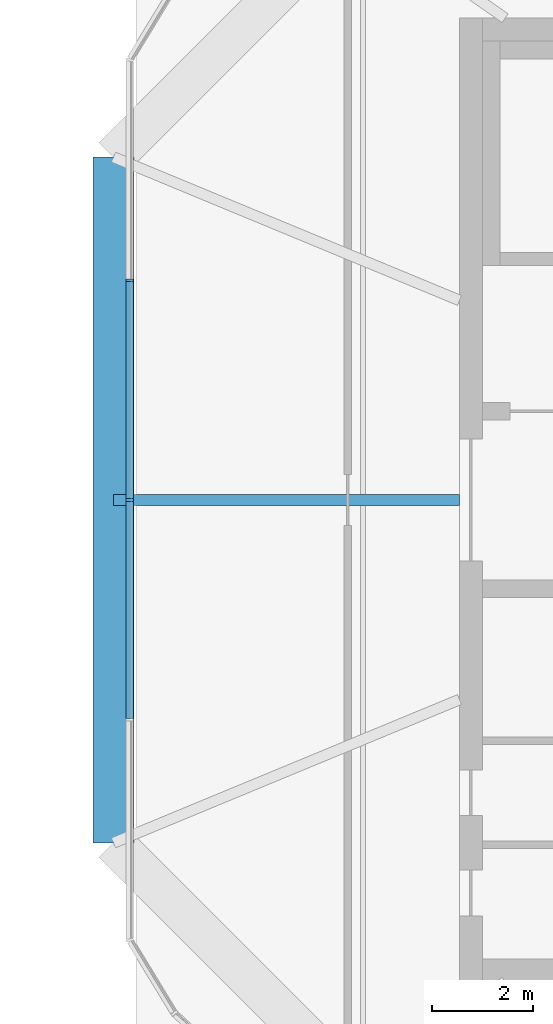
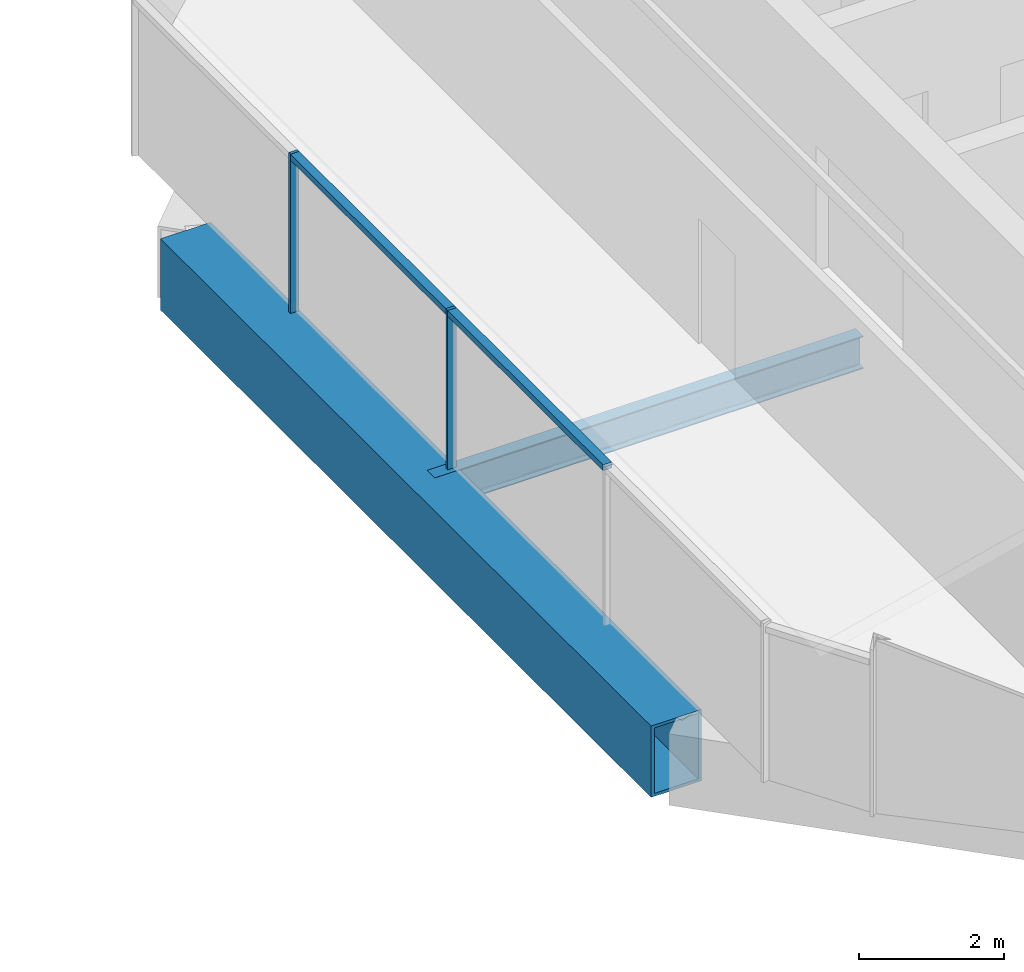
# One storey, part 4 of 23: 4 members, 2 beams, 2 elements without a shape of their own.
"""IFC4 building model written with IfcOpenShell, lengths in metres."""

from ifc_helpers import new_model, si_unit, direction, frame, origin, origin_2d, place, context, subcontext, project, spatial, rectangle, hollow_rectangle, i_section, extrude, material, material_profile, profile_set, type_object, element, aggregate, save


model = new_model("IFC4")

# Units and contexts
model_context = context("Model", 3, precision=1e-05, world=origin(), true_north=direction((0.0, 1.0)))
body_context = subcontext(model_context, "Body", "Model", "MODEL_VIEW")
ifc_project = project(units=[si_unit("LENGTHUNIT", "METRE"), si_unit("AREAUNIT", "SQUARE_METRE"), si_unit("VOLUMEUNIT", "CUBIC_METRE"), si_unit("PLANEANGLEUNIT", "RADIAN"), si_unit("MASSUNIT", "GRAM", prefix="KILO")], contexts=[model_context])

# Site, building, storey
site_placement = place(None, origin())
site = spatial("IfcSite", under=ifc_project, at=site_placement, CompositionType="ELEMENT")
building_placement = place(site_placement, origin())
building = spatial("IfcBuilding", under=site, at=building_placement, Name="Ogive Gate Towers", CompositionType="ELEMENT")
storey_placement = place(building_placement, frame((0.0, 0.0, 302.0)))
storey = spatial("IfcBuildingStorey", under=building, at=storey_placement, Name="L71", CompositionType="ELEMENT", Elevation=302.0)

# Curtain wall, members
ifc_material_1 = material(Name="Pale metal aluminium", Category="aluminium")
curtain_wall_type = type_object("IfcCurtainWallType", Name="Crown lean wall", PredefinedType="NOTDEFINED", material=ifc_material_1)
curtain_wall_1_placement = place(storey_placement, origin())
curtain_wall_1 = element("IfcCurtainWall", 1, at=curtain_wall_1_placement, inside=storey, type_object=curtain_wall_type, Name="CW5 T1 ECW04b", PredefinedType="NOTDEFINED")
ifc_material_profile_1 = material_profile(ifc_material_1, rectangle(XDim=0.139892578125, YDim=0.050048828125, at=origin_2d()), Name="50 x 140 aluminium box")
ifc_profile_set_1 = profile_set([ifc_material_profile_1], Name="Pale metal aluminium")
member_type_1 = type_object("IfcMemberType", Name="Crown lean wall mullion 50 x 140", PredefinedType="MULLION", material=ifc_profile_set_1)
member_1_placement = place(storey_placement, frame((-52.00048828125, 0.0, -0.300048828125), z_axis=(0.0, 0.0, 1.0), x_axis=(1.0, 0.0, 0.0)))
member_1 = element("IfcMember", 2, at=member_1_placement, type_object=member_type_1, Name="CW5 mullion", PredefinedType="MULLION", context=body_context, shape_type="SweptSolid", body=[
    extrude(rectangle(XDim=0.139892578125, YDim=0.050048828125, at=origin_2d()), origin(), (0.0, 0.0, 1.0), 2.679931640625),
])
member_2_placement = place(storey_placement, frame((-52.00048828125, 4.333740234375, -0.300048828125), z_axis=(0.0, 0.0, 1.0), x_axis=(1.0, 0.0, 0.0)))
member_2 = element("IfcMember", 3, at=member_2_placement, type_object=member_type_1, Name="CW5 mullion", PredefinedType="MULLION", context=body_context, shape_type="SweptSolid", body=[
    extrude(rectangle(XDim=0.139892578125, YDim=0.050048828125, at=origin_2d()), origin(), (0.0, 0.0, 1.0), 2.679931640625),
])
ifc_material_profile_2 = material_profile(ifc_material_1, rectangle(XDim=0.139892578125, YDim=0.10009765625, at=origin_2d()), Name="100 x 140 aluminium box")
ifc_profile_set_2 = profile_set([ifc_material_profile_2], Name="Pale metal aluminium")
member_type_2 = type_object("IfcMemberType", Name="Crown lean wall transom 100 x 140", PredefinedType="USERDEFINED", material=ifc_profile_set_2)
member_3_placement = place(storey_placement, frame((-52.00048828125, 0.02490234375, 2.330078125), z_axis=(0.0, 1.0, 0.0), x_axis=(-1.0, 0.0, 0.0)))
member_3 = element("IfcMember", 4, at=member_3_placement, type_object=member_type_2, Name="CW5 transom", ObjectType="TRANSOM", PredefinedType="USERDEFINED", context=body_context, shape_type="SweptSolid", body=[
    extrude(rectangle(XDim=0.139892578125, YDim=0.10009765625, at=origin_2d()), origin(), (0.0, 0.0, 1.0), 4.283935546875),
])
aggregate(curtain_wall_1, [member_1, member_2, member_3])

# Curtain wall, member
curtain_wall_2_placement = place(storey_placement, origin())
curtain_wall_2 = element("IfcCurtainWall", 5, at=curtain_wall_2_placement, inside=storey, type_object=curtain_wall_type, Name="CW5 T1 ECW05", PredefinedType="NOTDEFINED")
member_4_placement = place(storey_placement, frame((-52.00048828125, -4.308837890625, 2.330078125), z_axis=(0.0, 1.0, 0.0), x_axis=(-1.0, 0.0, 0.0)))
member_4 = element("IfcMember", 6, at=member_4_placement, type_object=member_type_2, Name="CW5 transom", ObjectType="TRANSOM", PredefinedType="USERDEFINED", context=body_context, shape_type="SweptSolid", body=[
    extrude(rectangle(XDim=0.139892578125, YDim=0.10009765625, at=origin_2d()), origin(), (0.0, 0.0, 1.0), 4.283935546875),
])
aggregate(curtain_wall_2, [member_4])

# Beams
ifc_material_2 = material(Name="Steel SM460", Category="steel")
ifc_material_profile_3 = material_profile(ifc_material_2, hollow_rectangle(XDim=0.800048828125, YDim=1.199951171875, WallThickness=0.050048828125, at=origin_2d()), Name="BX 1200x800x50")
ifc_profile_set_3 = profile_set([ifc_material_profile_3], Name="Steel SM460")
beam_type_1 = type_object("IfcBeamType", Name="Edge girder BX 1200x800x50", PredefinedType="BEAM", material=ifc_profile_set_3)
beam_1_placement = place(storey_placement, frame((-52.3203125, 6.760009765625, -0.89990234375), z_axis=(0.0, -1.0, 0.0), x_axis=(1.0, 0.0, 0.0)))
element("IfcBeam", 7, at=beam_1_placement, inside=storey, type_object=beam_type_1, Name="T1/L71/SBM024", PredefinedType="BEAM", context=body_context, shape_type="SweptSolid", body=[
    extrude(hollow_rectangle(XDim=0.800048828125, YDim=1.199951171875, WallThickness=0.050048828125, at=origin_2d()), origin(), (0.0, 0.0, 1.0), 13.52001953125),
])
ifc_material_3 = material(Name="Steel SM355", Category="steel")
ifc_material_profile_4 = material_profile(ifc_material_3, i_section(OverallWidth=0.2099609375, OverallDepth=0.550048828125, WebThickness=0.010986328125, FlangeThickness=0.01708984375, FilletRadius=0.02392578125, at=origin_2d()), Name="IPE 550")
ifc_profile_set_4 = profile_set([ifc_material_profile_4], Name="Steel SM355")
beam_type_2 = type_object("IfcBeamType", Name="Radial floor beam IPE 550", PredefinedType="BEAM", material=ifc_profile_set_4)
beam_2_placement = place(storey_placement, frame((-45.5, 0.0, -0.574951171875), z_axis=(-1.0, 0.0, 0.0), x_axis=(0.0, -1.0, 0.0)))
element("IfcBeam", 8, at=beam_2_placement, inside=storey, type_object=beam_type_2, Name="T1/L71/SBM016", PredefinedType="BEAM", context=body_context, shape_type="SweptSolid", body=[
    extrude(i_section(OverallWidth=0.2099609375, OverallDepth=0.550048828125, WebThickness=0.010986328125, FlangeThickness=0.01708984375, FilletRadius=0.02392578125, at=origin_2d()), origin(), (0.0, 0.0, 1.0), 6.8203125),
])

save(model, "model.ifc")
